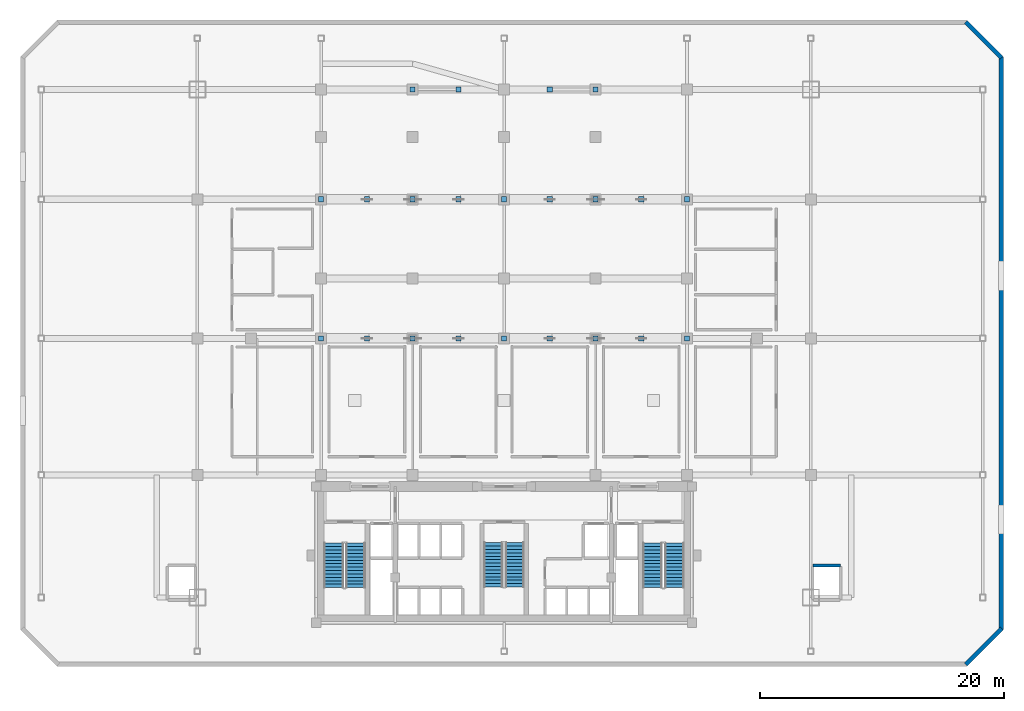
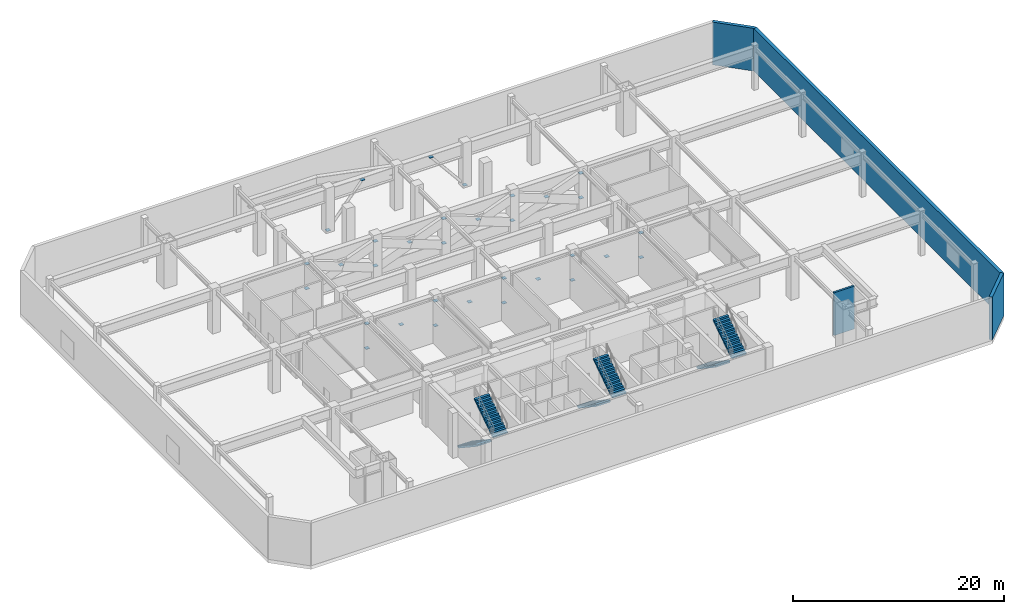
# One storey, part 11 of 14: 32 discrete accessories, 6 stair flights, 4 walls, 3 elements without a shape of their own.
"""IFC4 building model written with IfcOpenShell, lengths in metres."""

from ifc_helpers import new_model, si_unit, direction, frame, frame_2d, origin, origin_2d, place, context, subcontext, project, spatial, polyline, rectangle, outline, extrude, material, layer, layer_set, type_object, element, aggregate, save


model = new_model("IFC4")

# Units and contexts
model_context = context("Model", 3, precision=1e-05, world=origin(), true_north=direction((0.0, 1.0)))
body_context = subcontext(model_context, "Body", "Model", "MODEL_VIEW")
ifc_project = project(units=[si_unit("LENGTHUNIT", "METRE"), si_unit("AREAUNIT", "SQUARE_METRE"), si_unit("VOLUMEUNIT", "CUBIC_METRE"), si_unit("PLANEANGLEUNIT", "RADIAN"), si_unit("MASSUNIT", "GRAM", prefix="KILO")], contexts=[model_context])

# Site, building, storey
site_placement = place(None, origin())
site = spatial("IfcSite", under=ifc_project, at=site_placement, CompositionType="ELEMENT")
building_placement = place(site_placement, origin())
building = spatial("IfcBuilding", under=site, at=building_placement, Name="Ventersveld Concourse Tower", CompositionType="ELEMENT")
storey_placement = place(building_placement, frame((0.0, 0.0, 24.60009765625)))
storey = spatial("IfcBuildingStorey", under=building, at=storey_placement, Name="L05", CompositionType="ELEMENT", Elevation=24.60009765625)

# Walls
ifc_material_1 = material(Name="Fire-rated autoclaved aerated masonry blockwork", Category="masonry")
ifc_layer_1 = layer(ifc_material_1, 0.219970703125)
ifc_layer_set_1 = layer_set([ifc_layer_1], Name="Fire-rated autoclaved aerated masonry blockwork")
wall_type_1 = type_object("IfcWallType", Name="WL-HOIST-220", PredefinedType="SOLIDWALL", material=ifc_layer_set_1)
wall_1_placement = place(storey_placement, frame((54.080078125, 4.97998046875, 0.0), z_axis=(0.0, 0.0, 1.0), x_axis=(1.0, 0.0, 0.0)))
element("IfcWall", 1, at=wall_1_placement, inside=storey, type_object=wall_type_1, Name="L05 Lift Hoistway Front Wall SL-02", PredefinedType="SOLIDWALL", context=body_context, shape_type="SweptSolid", body=[
    extrude(rectangle(XDim=2.239990234375, YDim=0.219970703125, at=frame_2d((1.1201171875, 0.0))), origin(), (0.0, 0.0, 1.0), 4.949951171875),
])
ifc_material_2 = material(Name="Precast concrete C45/55", Category="concrete")
ifc_layer_2 = layer(ifc_material_2, 0.35009765625)
ifc_layer_set_2 = layer_set([ifc_layer_2], Name="Precast concrete C45/55")
wall_type_2 = type_object("IfcWallType", Name="WL-PREC-350", PredefinedType="SOLIDWALL", material=ifc_layer_set_2)
wall_2_placement = place(storey_placement, frame((66.60107421875, -3.144287109375, 0.0), z_axis=(0.0, 0.0, 1.0), x_axis=(0.707106781187, 0.707106781187, 0.0)))
element("IfcWall", 2, at=wall_2_placement, inside=storey, type_object=wall_type_2, Name="L05 Podium Precast Perimeter Wall 02", PredefinedType="SOLIDWALL", context=body_context, shape_type="SweptSolid", body=[
    extrude(rectangle(XDim=4.16259765625, YDim=0.35009765625, at=frame_2d((2.081298828125, 0.0))), origin(), (0.0, 0.0, 1.0), 4.949951171875),
])
wall_3_placement = place(storey_placement, frame((69.52001953125, -0.260009765625, 0.0), z_axis=(0.0, 0.0, 1.0), x_axis=(0.0, 1.0, 0.0)))
element("IfcWall", 3, at=wall_3_placement, inside=storey, type_object=wall_type_2, Name="L05 Podium Precast Perimeter Wall 03", PredefinedType="SOLIDWALL", context=body_context, shape_type="SweptSolid", body=[
    extrude(rectangle(XDim=46.919921875, YDim=0.35009765625, at=frame_2d((23.4599609375, 0.0))), origin(), (0.0, 0.0, 1.0), 4.949951171875),
])
wall_4_placement = place(storey_placement, frame((69.54443359375, 46.60107421875, 0.0), z_axis=(0.0, 0.0, 1.0), x_axis=(-0.707106781187, 0.707106781187, 0.0)))
element("IfcWall", 4, at=wall_4_placement, inside=storey, type_object=wall_type_2, Name="L05 Podium Precast Perimeter Wall 04", PredefinedType="SOLIDWALL", context=body_context, shape_type="SweptSolid", body=[
    extrude(rectangle(XDim=4.16259765625, YDim=0.35009765625, at=frame_2d((2.081298828125, 0.0))), origin(), (0.0, 0.0, 1.0), 4.949951171875),
])

# Stair, stair flights
ifc_material_3 = material(Name="Concrete C50/60", Category="concrete")
stair_type_1 = type_object("IfcStairType", Name="ST-DOG-155", PredefinedType="HALF_TURN_STAIR", material=ifc_material_3)
stair_1_placement = place(storey_placement, origin())
stair_1 = element("IfcStair", 5, at=stair_1_placement, inside=storey, type_object=stair_type_1, Name="L05 Protected Central Core Escape Stair ST-03", PredefinedType="HALF_TURN_STAIR")
stair_flight_type_1 = type_object("IfcStairFlightType", Name="STF-RC-155", PredefinedType="STRAIGHT", material=ifc_material_3)
stair_flight_1_placement = place(storey_placement, frame((27.875, 6.85009765625, 0.0), z_axis=(0.0, 0.0, 1.0), x_axis=(0.0, -1.0, 0.0)))
stair_flight_1 = element("IfcStairFlight", 6, at=stair_flight_1_placement, type_object=stair_flight_type_1, Name="ST-03 flight 1", NumberOfRisers=14, NumberOfTreads=13, PredefinedType="STRAIGHT", RiserHeight=0.185714286, TreadLength=0.28, context=body_context, shape_type="SweptSolid", body=[
    extrude(outline(polyline([(0.0, 0.0), (0.0, 0.185791015625), (0.280029296875, 0.185791015625), (0.280029296875, 0.371337890625), (0.56005859375, 0.371337890625), (0.56005859375, 0.55712890625), (0.840087890625, 0.55712890625), (0.840087890625, 0.742919921875), (1.1201171875, 0.742919921875), (1.1201171875, 0.928466796875), (1.39990234375, 0.928466796875), (1.39990234375, 1.1142578125), (1.679931640625, 1.1142578125), (1.679931640625, 1.300048828125), (1.9599609375, 1.300048828125), (1.9599609375, 1.485595703125), (2.239990234375, 1.485595703125), (2.239990234375, 1.67138671875), (2.52001953125, 1.67138671875), (2.52001953125, 1.857177734375), (2.800048828125, 1.857177734375), (2.800048828125, 2.04296875), (3.080078125, 2.04296875), (3.080078125, 2.228515625), (3.360107421875, 2.228515625), (3.360107421875, 2.414306640625), (3.639892578125, 2.414306640625), (3.639892578125, 2.60009765625), (3.639892578125, 2.234375), (0.271240234375, 0.0), (0.0, 0.0)])), frame((0.0, 0.77490234375, 0.0), z_axis=(0.0, -1.0, 0.0), x_axis=(1.0, 0.0, 0.0)), (0.0, 0.0, 1.0), 1.550048828125),
])
stair_flight_2_placement = place(storey_placement, frame((29.625, 3.2099609375, 2.599853515625), z_axis=(0.0, 0.0, 1.0), x_axis=(0.0, 1.0, 0.0)))
stair_flight_2 = element("IfcStairFlight", 7, at=stair_flight_2_placement, type_object=stair_flight_type_1, Name="ST-03 flight 2", NumberOfRisers=14, NumberOfTreads=13, PredefinedType="STRAIGHT", RiserHeight=0.185714286, TreadLength=0.28, context=body_context, shape_type="SweptSolid", body=[
    extrude(outline(polyline([(0.0, 0.0), (0.0, 0.185791015625), (0.280029296875, 0.185791015625), (0.280029296875, 0.371337890625), (0.56005859375, 0.371337890625), (0.56005859375, 0.55712890625), (0.840087890625, 0.55712890625), (0.840087890625, 0.742919921875), (1.1201171875, 0.742919921875), (1.1201171875, 0.928466796875), (1.39990234375, 0.928466796875), (1.39990234375, 1.1142578125), (1.679931640625, 1.1142578125), (1.679931640625, 1.300048828125), (1.9599609375, 1.300048828125), (1.9599609375, 1.485595703125), (2.239990234375, 1.485595703125), (2.239990234375, 1.67138671875), (2.52001953125, 1.67138671875), (2.52001953125, 1.857177734375), (2.800048828125, 1.857177734375), (2.800048828125, 2.04296875), (3.080078125, 2.04296875), (3.080078125, 2.228515625), (3.360107421875, 2.228515625), (3.360107421875, 2.414306640625), (3.639892578125, 2.414306640625), (3.639892578125, 2.60009765625), (3.639892578125, 2.234375), (0.271240234375, 0.0), (0.0, 0.0)])), frame((0.0, 0.77490234375, 0.0), z_axis=(0.0, -1.0, 0.0), x_axis=(1.0, 0.0, 0.0)), (0.0, 0.0, 1.0), 1.550048828125),
])
aggregate(stair_1, [stair_flight_1, stair_flight_2])

stair_type_2 = type_object("IfcStairType", Name="ST-DOG-160", PredefinedType="HALF_TURN_STAIR", material=ifc_material_3)
stair_2_placement = place(storey_placement, origin())
stair_2 = element("IfcStair", 8, at=stair_2_placement, inside=storey, type_object=stair_type_2, Name="L05 Protected Tower Escape Stair ST-01", PredefinedType="HALF_TURN_STAIR")
stair_flight_type_2 = type_object("IfcStairFlightType", Name="STF-RC-160", PredefinedType="STRAIGHT", material=ifc_material_3)
stair_flight_3_placement = place(storey_placement, frame((14.780029296875, 6.800048828125, 0.0), z_axis=(0.0, 0.0, 1.0), x_axis=(0.0, -1.0, 0.0)))
stair_flight_3 = element("IfcStairFlight", 9, at=stair_flight_3_placement, type_object=stair_flight_type_2, Name="ST-01 flight 1", NumberOfRisers=14, NumberOfTreads=13, PredefinedType="STRAIGHT", RiserHeight=0.185714286, TreadLength=0.28, context=body_context, shape_type="SweptSolid", body=[
    extrude(outline(polyline([(0.0, 0.0), (0.0, 0.185791015625), (0.280029296875, 0.185791015625), (0.280029296875, 0.371337890625), (0.56005859375, 0.371337890625), (0.56005859375, 0.55712890625), (0.840087890625, 0.55712890625), (0.840087890625, 0.742919921875), (1.1201171875, 0.742919921875), (1.1201171875, 0.928466796875), (1.39990234375, 0.928466796875), (1.39990234375, 1.1142578125), (1.679931640625, 1.1142578125), (1.679931640625, 1.300048828125), (1.9599609375, 1.300048828125), (1.9599609375, 1.485595703125), (2.239990234375, 1.485595703125), (2.239990234375, 1.67138671875), (2.52001953125, 1.67138671875), (2.52001953125, 1.857177734375), (2.800048828125, 1.857177734375), (2.800048828125, 2.04296875), (3.080078125, 2.04296875), (3.080078125, 2.228515625), (3.360107421875, 2.228515625), (3.360107421875, 2.414306640625), (3.639892578125, 2.414306640625), (3.639892578125, 2.60009765625), (3.639892578125, 2.234375), (0.271240234375, 0.0), (0.0, 0.0)])), frame((0.0, 0.800048828125, 0.0), z_axis=(0.0, -1.0, 0.0), x_axis=(1.0, 0.0, 0.0)), (0.0, 0.0, 1.0), 1.60009765625),
])
stair_flight_4_placement = place(storey_placement, frame((16.580078125, 3.159912109375, 2.599853515625), z_axis=(0.0, 0.0, 1.0), x_axis=(0.0, 1.0, 0.0)))
stair_flight_4 = element("IfcStairFlight", 10, at=stair_flight_4_placement, type_object=stair_flight_type_2, Name="ST-01 flight 2", NumberOfRisers=14, NumberOfTreads=13, PredefinedType="STRAIGHT", RiserHeight=0.185714286, TreadLength=0.28, context=body_context, shape_type="SweptSolid", body=[
    extrude(outline(polyline([(0.0, 0.0), (0.0, 0.185791015625), (0.280029296875, 0.185791015625), (0.280029296875, 0.371337890625), (0.56005859375, 0.371337890625), (0.56005859375, 0.55712890625), (0.840087890625, 0.55712890625), (0.840087890625, 0.742919921875), (1.1201171875, 0.742919921875), (1.1201171875, 0.928466796875), (1.39990234375, 0.928466796875), (1.39990234375, 1.1142578125), (1.679931640625, 1.1142578125), (1.679931640625, 1.300048828125), (1.9599609375, 1.300048828125), (1.9599609375, 1.485595703125), (2.239990234375, 1.485595703125), (2.239990234375, 1.67138671875), (2.52001953125, 1.67138671875), (2.52001953125, 1.857177734375), (2.800048828125, 1.857177734375), (2.800048828125, 2.04296875), (3.080078125, 2.04296875), (3.080078125, 2.228515625), (3.360107421875, 2.228515625), (3.360107421875, 2.414306640625), (3.639892578125, 2.414306640625), (3.639892578125, 2.60009765625), (3.639892578125, 2.234375), (0.271240234375, 0.0), (0.0, 0.0)])), frame((0.0, 0.800048828125, 0.0), z_axis=(0.0, -1.0, 0.0), x_axis=(1.0, 0.0, 0.0)), (0.0, 0.0, 1.0), 1.60009765625),
])
aggregate(stair_2, [stair_flight_3, stair_flight_4])

stair_3_placement = place(storey_placement, origin())
stair_3 = element("IfcStair", 11, at=stair_3_placement, inside=storey, type_object=stair_type_2, Name="L05 Protected Tower Escape Stair ST-02", PredefinedType="HALF_TURN_STAIR")
stair_flight_5_placement = place(storey_placement, frame((40.919921875, 6.800048828125, 0.0), z_axis=(0.0, 0.0, 1.0), x_axis=(0.0, -1.0, 0.0)))
stair_flight_5 = element("IfcStairFlight", 12, at=stair_flight_5_placement, type_object=stair_flight_type_2, Name="ST-02 flight 1", NumberOfRisers=14, NumberOfTreads=13, PredefinedType="STRAIGHT", RiserHeight=0.185714286, TreadLength=0.28, context=body_context, shape_type="SweptSolid", body=[
    extrude(outline(polyline([(0.0, 0.0), (0.0, 0.185791015625), (0.280029296875, 0.185791015625), (0.280029296875, 0.371337890625), (0.56005859375, 0.371337890625), (0.56005859375, 0.55712890625), (0.840087890625, 0.55712890625), (0.840087890625, 0.742919921875), (1.1201171875, 0.742919921875), (1.1201171875, 0.928466796875), (1.39990234375, 0.928466796875), (1.39990234375, 1.1142578125), (1.679931640625, 1.1142578125), (1.679931640625, 1.300048828125), (1.9599609375, 1.300048828125), (1.9599609375, 1.485595703125), (2.239990234375, 1.485595703125), (2.239990234375, 1.67138671875), (2.52001953125, 1.67138671875), (2.52001953125, 1.857177734375), (2.800048828125, 1.857177734375), (2.800048828125, 2.04296875), (3.080078125, 2.04296875), (3.080078125, 2.228515625), (3.360107421875, 2.228515625), (3.360107421875, 2.414306640625), (3.639892578125, 2.414306640625), (3.639892578125, 2.60009765625), (3.639892578125, 2.234375), (0.271240234375, 0.0), (0.0, 0.0)])), frame((0.0, 0.800048828125, 0.0), z_axis=(0.0, -1.0, 0.0), x_axis=(1.0, 0.0, 0.0)), (0.0, 0.0, 1.0), 1.60009765625),
])
stair_flight_6_placement = place(storey_placement, frame((42.719970703125, 3.159912109375, 2.599853515625), z_axis=(0.0, 0.0, 1.0), x_axis=(0.0, 1.0, 0.0)))
stair_flight_6 = element("IfcStairFlight", 13, at=stair_flight_6_placement, type_object=stair_flight_type_2, Name="ST-02 flight 2", NumberOfRisers=14, NumberOfTreads=13, PredefinedType="STRAIGHT", RiserHeight=0.185714286, TreadLength=0.28, context=body_context, shape_type="SweptSolid", body=[
    extrude(outline(polyline([(0.0, 0.0), (0.0, 0.185791015625), (0.280029296875, 0.185791015625), (0.280029296875, 0.371337890625), (0.56005859375, 0.371337890625), (0.56005859375, 0.55712890625), (0.840087890625, 0.55712890625), (0.840087890625, 0.742919921875), (1.1201171875, 0.742919921875), (1.1201171875, 0.928466796875), (1.39990234375, 0.928466796875), (1.39990234375, 1.1142578125), (1.679931640625, 1.1142578125), (1.679931640625, 1.300048828125), (1.9599609375, 1.300048828125), (1.9599609375, 1.485595703125), (2.239990234375, 1.485595703125), (2.239990234375, 1.67138671875), (2.52001953125, 1.67138671875), (2.52001953125, 1.857177734375), (2.800048828125, 1.857177734375), (2.800048828125, 2.04296875), (3.080078125, 2.04296875), (3.080078125, 2.228515625), (3.360107421875, 2.228515625), (3.360107421875, 2.414306640625), (3.639892578125, 2.414306640625), (3.639892578125, 2.60009765625), (3.639892578125, 2.234375), (0.271240234375, 0.0), (0.0, 0.0)])), frame((0.0, 0.800048828125, 0.0), z_axis=(0.0, -1.0, 0.0), x_axis=(1.0, 0.0, 0.0)), (0.0, 0.0, 1.0), 1.60009765625),
])
aggregate(stair_3, [stair_flight_5, stair_flight_6])

# Discrete accessories
ifc_material_4 = material(Name="Structural steel S355J2", Category="steel")
discrete_accessory_type = type_object("IfcDiscreteAccessoryType", Name="CONN-BRACE-ECP1", PredefinedType="BRACKET", material=ifc_material_4)
for number, where, z_axis, x_axis, name in (
    (14, (13.75, 23.60009765625, 1.329833984375), (0.0, 0.0, 1.0), (1.0, 0.0, 0.0), "L05 Steel Brace End Connection Plate ECP1-0001"),
    (15, (21.25, 23.60009765625, 4.179931640625), (0.0, 0.0, 1.0), (1.0, 0.0, 0.0), "L05 Steel Brace End Connection Plate ECP1-0002"),
    (16, (13.75, 23.60009765625, 4.179931640625), (0.0, 0.0, 1.0), (1.0, 0.0, 0.0), "L05 Steel Brace End Connection Plate ECP1-0003"),
    (17, (17.5, 23.60009765625, 2.7548828125), (0.0, 0.0, 1.0), (1.0, 0.0, 0.0), "L05 Steel Brace End Connection Plate ECP1-0004"),
    (18, (21.25, 23.60009765625, 1.329833984375), (0.0, 0.0, 1.0), (1.0, 0.0, 0.0), "L05 Steel Brace End Connection Plate ECP1-0005"),
    (19, (28.75, 23.60009765625, 4.179931640625), (0.0, 0.0, 1.0), (1.0, 0.0, 0.0), "L05 Steel Brace End Connection Plate ECP1-0006"),
    (20, (25.0, 23.60009765625, 2.7548828125), (0.0, 0.0, 1.0), (1.0, 0.0, 0.0), "L05 Steel Brace End Connection Plate ECP1-0007"),
    (21, (28.75, 23.60009765625, 1.329833984375), (0.0, 0.0, 1.0), (1.0, 0.0, 0.0), "L05 Steel Brace End Connection Plate ECP1-0008"),
    (22, (36.25, 23.60009765625, 4.179931640625), (0.0, 0.0, 1.0), (1.0, 0.0, 0.0), "L05 Steel Brace End Connection Plate ECP1-0009"),
    (23, (32.5, 23.60009765625, 2.7548828125), (0.0, 0.0, 1.0), (1.0, 0.0, 0.0), "L05 Steel Brace End Connection Plate ECP1-0010"),
    (24, (36.25, 23.60009765625, 1.329833984375), (0.0, 0.0, 1.0), (1.0, 0.0, 0.0), "L05 Steel Brace End Connection Plate ECP1-0011"),
    (25, (43.75, 23.60009765625, 4.179931640625), (0.0, 0.0, 1.0), (1.0, 0.0, 0.0), "L05 Steel Brace End Connection Plate ECP1-0012"),
    (26, (40.0, 23.60009765625, 2.7548828125), (0.0, 0.0, 1.0), (1.0, 0.0, 0.0), "L05 Steel Brace End Connection Plate ECP1-0013"),
    (27, (43.75, 23.60009765625, 1.329833984375), (0.0, 0.0, 1.0), (1.0, 0.0, 0.0), "L05 Steel Brace End Connection Plate ECP1-0014"),
    (28, (13.75, 35.0, 1.329833984375), (0.0, 0.0, 1.0), (1.0, 0.0, 0.0), "L05 Steel Brace End Connection Plate ECP1-0015"),
    (29, (21.25, 35.0, 4.179931640625), (0.0, 0.0, 1.0), (1.0, 0.0, 0.0), "L05 Steel Brace End Connection Plate ECP1-0016"),
    (30, (13.75, 35.0, 4.179931640625), (0.0, 0.0, 1.0), (1.0, 0.0, 0.0), "L05 Steel Brace End Connection Plate ECP1-0017"),
    (31, (17.5, 35.0, 2.7548828125), (0.0, 0.0, 1.0), (1.0, 0.0, 0.0), "L05 Steel Brace End Connection Plate ECP1-0018"),
    (32, (21.25, 35.0, 1.329833984375), (0.0, 0.0, 1.0), (1.0, 0.0, 0.0), "L05 Steel Brace End Connection Plate ECP1-0019"),
    (33, (28.75, 35.0, 4.179931640625), (0.0, 0.0, 1.0), (1.0, 0.0, 0.0), "L05 Steel Brace End Connection Plate ECP1-0020"),
    (34, (25.0, 35.0, 2.7548828125), (0.0, 0.0, 1.0), (1.0, 0.0, 0.0), "L05 Steel Brace End Connection Plate ECP1-0021"),
    (35, (28.75, 35.0, 1.329833984375), (0.0, 0.0, 1.0), (1.0, 0.0, 0.0), "L05 Steel Brace End Connection Plate ECP1-0022"),
    (36, (36.25, 35.0, 4.179931640625), (0.0, 0.0, 1.0), (1.0, 0.0, 0.0), "L05 Steel Brace End Connection Plate ECP1-0023"),
    (37, (32.5, 35.0, 2.7548828125), (0.0, 0.0, 1.0), (1.0, 0.0, 0.0), "L05 Steel Brace End Connection Plate ECP1-0024"),
    (38, (36.25, 35.0, 1.329833984375), (0.0, 0.0, 1.0), (1.0, 0.0, 0.0), "L05 Steel Brace End Connection Plate ECP1-0025"),
    (39, (43.75, 35.0, 4.179931640625), (0.0, 0.0, 1.0), (1.0, 0.0, 0.0), "L05 Steel Brace End Connection Plate ECP1-0026"),
    (40, (40.0, 35.0, 2.7548828125), (0.0, 0.0, 1.0), (1.0, 0.0, 0.0), "L05 Steel Brace End Connection Plate ECP1-0027"),
    (41, (43.75, 35.0, 1.329833984375), (0.0, 0.0, 1.0), (1.0, 0.0, 0.0), "L05 Steel Brace End Connection Plate ECP1-0028"),
    (42, (21.25, 44.0, -0.02001953125), (0.0, 0.0, 1.0), (1.0, 0.0, 0.0), "L05 Steel Brace End Connection Plate ECP1-0029"),
    (43, (25.0, 44.0, 4.52978515625), (0.0, 0.0, 1.0), (1.0, 0.0, 0.0), "L05 Steel Brace End Connection Plate ECP1-0030"),
    (44, (36.25, 44.0, -0.02001953125), (0.0, 0.0, 1.0), (1.0, 0.0, 0.0), "L05 Steel Brace End Connection Plate ECP1-0031"),
    (45, (32.5, 44.0, 4.52978515625), (0.0, 0.0, 1.0), (1.0, 0.0, 0.0), "L05 Steel Brace End Connection Plate ECP1-0032"),
):
    element("IfcDiscreteAccessory", number, at=place(storey_placement, frame(where, z_axis=z_axis, x_axis=x_axis)), inside=storey, type_object=discrete_accessory_type, Name=name, PredefinedType="BRACKET", context=body_context, shape_type="SweptSolid", body=[
        extrude(rectangle(XDim=0.419921875, YDim=0.419921875, at=origin_2d()), origin(), (0.0, 0.0, 1.0), 0.0400390625),
    ])

save(model, "model.ifc")
